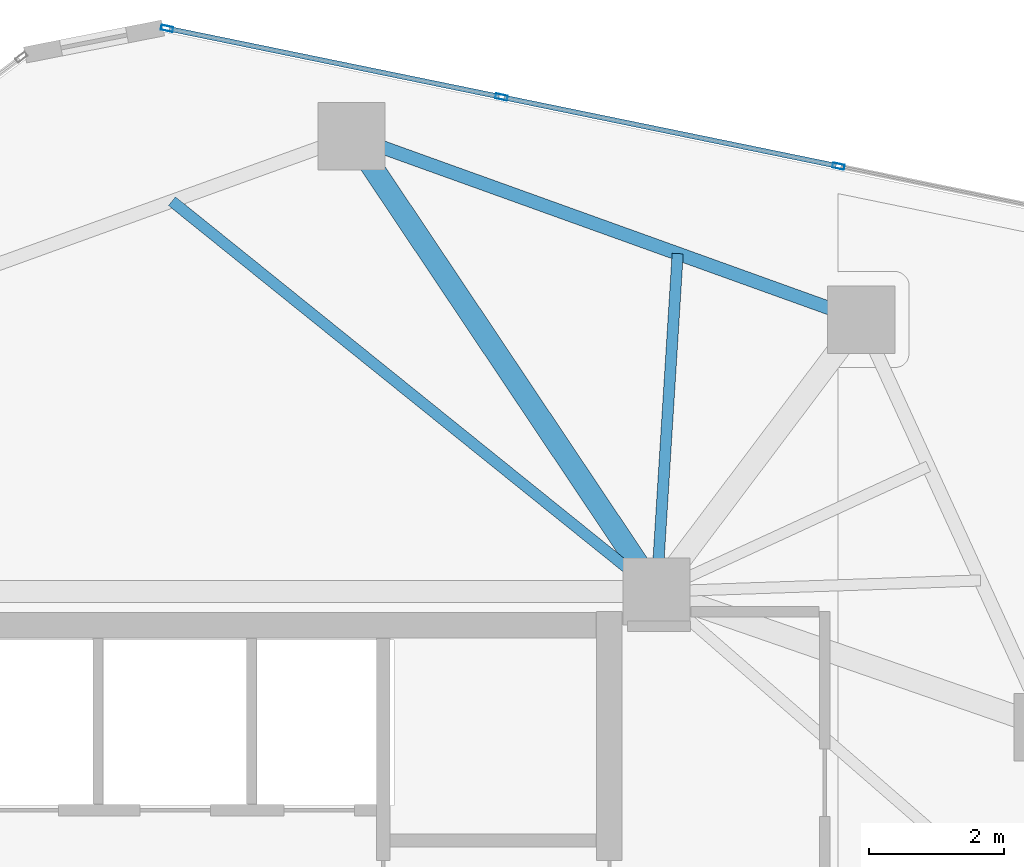
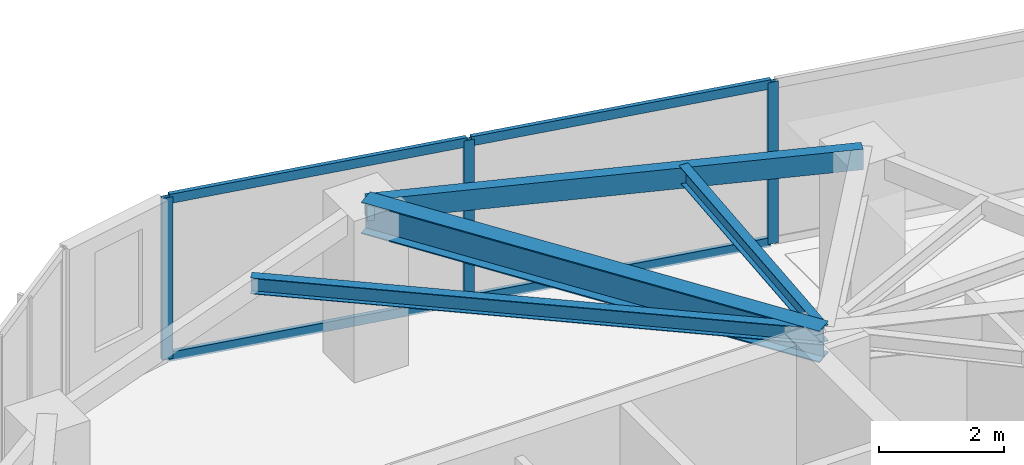
# One storey, part 14 of 20: 7 members, 4 beams, 1 element without a shape of its own.
"""IFC4 building model written with IfcOpenShell, lengths in metres."""

from ifc_helpers import new_model, si_unit, direction, frame, origin, origin_2d, place, context, subcontext, project, spatial, hollow_rectangle, i_section, extrude, source, transform, mapped, material, layer, layer_set, material_profile, profile_set, type_object, type_shapes, element, aggregate, save


model = new_model("IFC4")

# Units and contexts
model_context = context("Model", 3, precision=1e-05, world=origin(), true_north=direction((0.0, 1.0)))
body_context = subcontext(model_context, "Body", "Model", "MODEL_VIEW")
ifc_project = project(units=[si_unit("LENGTHUNIT", "METRE"), si_unit("AREAUNIT", "SQUARE_METRE"), si_unit("VOLUMEUNIT", "CUBIC_METRE"), si_unit("PLANEANGLEUNIT", "RADIAN"), si_unit("MASSUNIT", "GRAM", prefix="KILO")], contexts=[model_context])

# Site, building, storey
site_placement = place(None, origin())
site = spatial("IfcSite", under=ifc_project, at=site_placement, CompositionType="ELEMENT")
building_placement = place(site_placement, origin())
building = spatial("IfcBuilding", under=site, at=building_placement, Name="Talar Marvaseh", CompositionType="ELEMENT")
storey_placement = place(building_placement, frame((0.0, 0.0, 198.5)))
storey = spatial("IfcBuildingStorey", under=building, at=storey_placement, Name="L52", CompositionType="ELEMENT", Elevation=198.5)

# Beams
ifc_material_1 = material(Name="Steel S355", Category="steel")
ifc_material_profile_1 = material_profile(ifc_material_1, hollow_rectangle(XDim=0.199951171875, YDim=0.39990234375, WallThickness=0.013916015625, at=origin_2d()), Name="RHS400x200x14")
ifc_profile_set_1 = profile_set([ifc_material_profile_1], Name="Steel S355")
beam_type_1 = type_object("IfcBeamType", Name="Zone 3 Perimeter Spandrel Beam RHS400x200x14", PredefinedType="SPANDREL", material=ifc_profile_set_1)
beam_1_placement = place(storey_placement, frame((28.76611328125, 43.66796875, 2.949951171875), z_axis=(0.940923359576, -0.3386195969, 0.0), x_axis=(0.3386195969, 0.940923359576, 0.0)))
element("IfcBeam", 1, at=beam_1_placement, inside=storey, type_object=beam_type_1, Name="L52 Zone 3 Perimeter Spandrel Beam RHS400x200x14", PredefinedType="SPANDREL", context=body_context, shape_type="SweptSolid", body=[
    extrude(hollow_rectangle(XDim=0.199951171875, YDim=0.39990234375, WallThickness=0.013916015625, at=origin_2d()), origin(), (0.0, 0.0, 1.0), 8.050537109375),
])
ifc_material_profile_2 = material_profile(ifc_material_1, i_section(OverallWidth=0.324951171875, OverallDepth=0.615966796875, WebThickness=0.013916015625, FlangeThickness=0.021484375, at=origin_2d()), Name="W610x174")
ifc_profile_set_2 = profile_set([ifc_material_profile_2], Name="Steel S355")
beam_type_2 = type_object("IfcBeamType", Name="Zone 3 Radial Floor Girder W610x174", PredefinedType="BEAM", material=ifc_profile_set_2)
beam_2_placement = place(storey_placement, frame((28.76611328125, 43.66796875, 2.842041015625), z_axis=(0.556559209375, -0.830807948, 0.0), x_axis=(0.830807948, 0.556559209375, 0.0)))
element("IfcBeam", 2, at=beam_2_placement, inside=storey, type_object=beam_type_2, Name="L52 Zone 3 Radial Floor Girder W610x174", PredefinedType="BEAM", context=body_context, shape_type="SweptSolid", body=[
    extrude(i_section(OverallWidth=0.324951171875, OverallDepth=0.615966796875, WebThickness=0.013916015625, FlangeThickness=0.021484375, at=origin_2d()), origin(), (0.0, 0.0, 1.0), 8.146484375),
])
ifc_material_profile_3 = material_profile(ifc_material_1, i_section(OverallWidth=0.166015625, OverallDepth=0.31298828125, WebThickness=0.006591796875, FlangeThickness=0.01123046875, at=origin_2d()), Name="W310x45")
ifc_profile_set_3 = profile_set([ifc_material_profile_3], Name="Steel S355")
beam_type_3 = type_object("IfcBeamType", Name="Zone 3 Secondary Floor Joist W310x45", PredefinedType="JOIST", material=ifc_profile_set_3)
beam_3_placement = place(storey_placement, frame((33.614013671875, 41.92333984375, 2.993408203125), z_axis=(-0.062378286155, -0.998052578483, 0.0), x_axis=(0.998052578483, -0.062378286155, 0.0)))
element("IfcBeam", 3, at=beam_3_placement, inside=storey, type_object=beam_type_3, Name="L52 Zone 3 Secondary Floor Joist W310x45", PredefinedType="JOIST", context=body_context, shape_type="SweptSolid", body=[
    extrude(i_section(OverallWidth=0.166015625, OverallDepth=0.31298828125, WebThickness=0.006591796875, FlangeThickness=0.01123046875, at=origin_2d()), origin(), (0.0, 0.0, 1.0), 5.033203125),
])
beam_4_placement = place(storey_placement, frame((26.096923828125, 42.702392578125, 2.993408203125), z_axis=(0.778755341842, -0.627327759272, 0.0), x_axis=(0.627327759272, 0.778755341842, 0.0)))
element("IfcBeam", 4, at=beam_4_placement, inside=storey, type_object=beam_type_3, Name="L52 Zone 3 Secondary Floor Joist W310x45", PredefinedType="JOIST", context=body_context, shape_type="SweptSolid", body=[
    extrude(i_section(OverallWidth=0.166015625, OverallDepth=0.31298828125, WebThickness=0.006591796875, FlangeThickness=0.01123046875, at=origin_2d()), origin(), (0.0, 0.0, 1.0), 9.24951171875),
])

# Curtain wall, members
ifc_material_2 = material(Name="Architectural Aluminium", Category="aluminium")
ifc_layer = layer(ifc_material_2, 0.18994140625)
ifc_layer_set = layer_set([ifc_layer], Name="Architectural Aluminium")
curtain_wall_type = type_object("IfcCurtainWallType", Name="Unitised Solar Atelier Curtain Wall Z3", PredefinedType="NOTDEFINED", material=ifc_layer_set)
curtain_wall_placement = place(storey_placement, origin())
curtain_wall = element("IfcCurtainWall", 5, at=curtain_wall_placement, inside=storey, type_object=curtain_wall_type, Name="L52 Unitised Solar Atelier Curtain Wall Z3", PredefinedType="NOTDEFINED")
ifc_material_profile_4 = material_profile(ifc_material_2, hollow_rectangle(XDim=0.074951171875, YDim=0.179931640625, WallThickness=0.0048828125, at=origin_2d()), Name="RHS180x75x5")
ifc_profile_set_4 = profile_set([ifc_material_profile_4], Name="Architectural Aluminium")
member_type_1 = type_object("IfcMemberType", Name="Unitised Curtain Wall Transom RHS180x75x5", PredefinedType="USERDEFINED", material=ifc_profile_set_4)
shared_shape_1 = source(origin(), body_context, "Body", "SweptSolid", [
    extrude(hollow_rectangle(XDim=0.074951171875, YDim=0.179931640625, WallThickness=0.0048828125, at=origin_2d()), origin(), (0.0, 0.0, 1.0), 5.00048828125),
])
member_1_placement = place(storey_placement, frame((26.060791015625, 45.26220703125, 0.03759765625), z_axis=(0.979590130968, -0.201005411144, 0.0), x_axis=(0.201005411144, 0.979590130968, 0.0)))
member_1 = element("IfcMember", 6, at=member_1_placement, type_object=member_type_1, Name="CW-Z3 transom 1.1", ObjectType="TRANSOM", PredefinedType="USERDEFINED", context=body_context, shape_type="MappedRepresentation", body=[
    mapped(shared_shape_1, transform((0.0, 0.0, 0.0), x_axis=(1.0, 0.0, 0.0), y_axis=(0.0, 1.0, 0.0), z_axis=(0.0, 0.0, 1.0), scale=1.0)),
])
member_2_placement = place(storey_placement, frame((26.060791015625, 45.26220703125, 3.112548828125), z_axis=(0.979590130968, -0.201005411144, 0.0), x_axis=(0.201005411144, 0.979590130968, 0.0)))
member_2 = element("IfcMember", 7, at=member_2_placement, type_object=member_type_1, Name="CW-Z3 transom 1.2", ObjectType="TRANSOM", PredefinedType="USERDEFINED", context=body_context, shape_type="MappedRepresentation", body=[
    mapped(shared_shape_1, transform((0.0, 0.0, 0.0), x_axis=(1.0, 0.0, 0.0), y_axis=(0.0, 1.0, 0.0), z_axis=(0.0, 0.0, 1.0), scale=1.0)),
])
shared_shape_2 = source(origin(), body_context, "Body", "SweptSolid", [
    extrude(hollow_rectangle(XDim=0.074951171875, YDim=0.179931640625, WallThickness=0.0048828125, at=origin_2d()), origin(), (0.0, 0.0, 1.0), 5.037841796875),
])
type_shapes(member_type_1, [shared_shape_1, shared_shape_2])
member_3_placement = place(storey_placement, frame((31.03271484375, 44.241943359375, 0.03759765625), z_axis=(0.979588022182, -0.20101568794, 0.0), x_axis=(0.20101568794, 0.979588022182, 0.0)))
member_3 = element("IfcMember", 8, at=member_3_placement, type_object=member_type_1, Name="CW-Z3 transom 2.1", ObjectType="TRANSOM", PredefinedType="USERDEFINED", context=body_context, shape_type="MappedRepresentation", body=[
    mapped(shared_shape_2, transform((0.0, 0.0, 0.0), x_axis=(1.0, 0.0, 0.0), y_axis=(0.0, 1.0, 0.0), z_axis=(0.0, 0.0, 1.0), scale=1.0)),
])
member_4_placement = place(storey_placement, frame((31.03271484375, 44.241943359375, 3.112548828125), z_axis=(0.979588022182, -0.20101568794, 0.0), x_axis=(0.20101568794, 0.979588022182, 0.0)))
member_4 = element("IfcMember", 9, at=member_4_placement, type_object=member_type_1, Name="CW-Z3 transom 2.2", ObjectType="TRANSOM", PredefinedType="USERDEFINED", context=body_context, shape_type="MappedRepresentation", body=[
    mapped(shared_shape_2, transform((0.0, 0.0, 0.0), x_axis=(1.0, 0.0, 0.0), y_axis=(0.0, 1.0, 0.0), z_axis=(0.0, 0.0, 1.0), scale=1.0)),
])
ifc_material_profile_5 = material_profile(ifc_material_2, hollow_rectangle(XDim=0.074951171875, YDim=0.179931640625, WallThickness=0.0048828125, at=origin_2d()), Name="RHS180x75x5")
ifc_profile_set_5 = profile_set([ifc_material_profile_5], Name="Architectural Aluminium")
member_type_2 = type_object("IfcMemberType", Name="Unitised Curtain Wall Standard Mullion RHS180x75x5", PredefinedType="MULLION", material=ifc_profile_set_5)
shared_shape_3 = source(origin(), body_context, "Body", "SweptSolid", [
    extrude(hollow_rectangle(XDim=0.074951171875, YDim=0.179931640625, WallThickness=0.0048828125, at=origin_2d()), origin(), (0.0, 0.0, 1.0), 3.14990234375),
])
type_shapes(member_type_2, [shared_shape_3])
member_5_placement = place(storey_placement, frame((26.02392578125, 45.269775390625, 0.0), z_axis=(0.0, 0.0, 1.0), x_axis=(0.201010714536, 0.979589042733, 0.0)))
member_5 = element("IfcMember", 10, at=member_5_placement, type_object=member_type_2, Name="CW-Z3 mullion 1", PredefinedType="MULLION", context=body_context, shape_type="MappedRepresentation", body=[
    mapped(shared_shape_3, transform((0.0, 0.0, 0.0), x_axis=(1.0, 0.0, 0.0), y_axis=(0.0, 1.0, 0.0), z_axis=(0.0, 0.0, 1.0), scale=1.0)),
])
member_6_placement = place(storey_placement, frame((30.995849609375, 44.24951171875, 0.0), z_axis=(0.0, 0.0, 1.0), x_axis=(0.201010714536, 0.979589042733, 0.0)))
member_6 = element("IfcMember", 11, at=member_6_placement, type_object=member_type_2, Name="CW-Z3 mullion 2", PredefinedType="MULLION", context=body_context, shape_type="MappedRepresentation", body=[
    mapped(shared_shape_3, transform((0.0, 0.0, 0.0), x_axis=(1.0, 0.0, 0.0), y_axis=(0.0, 1.0, 0.0), z_axis=(0.0, 0.0, 1.0), scale=1.0)),
])
member_7_placement = place(storey_placement, frame((36.004638671875, 43.2216796875, 0.0), z_axis=(0.0, 0.0, 1.0), x_axis=(0.201010714536, 0.979589042733, 0.0)))
member_7 = element("IfcMember", 12, at=member_7_placement, type_object=member_type_2, Name="CW-Z3 mullion 3", PredefinedType="MULLION", context=body_context, shape_type="MappedRepresentation", body=[
    mapped(shared_shape_3, transform((0.0, 0.0, 0.0), x_axis=(1.0, 0.0, 0.0), y_axis=(0.0, 1.0, 0.0), z_axis=(0.0, 0.0, 1.0), scale=1.0)),
])
aggregate(curtain_wall, [member_5, member_6, member_7, member_1, member_2, member_3, member_4])

save(model, "model.ifc")
